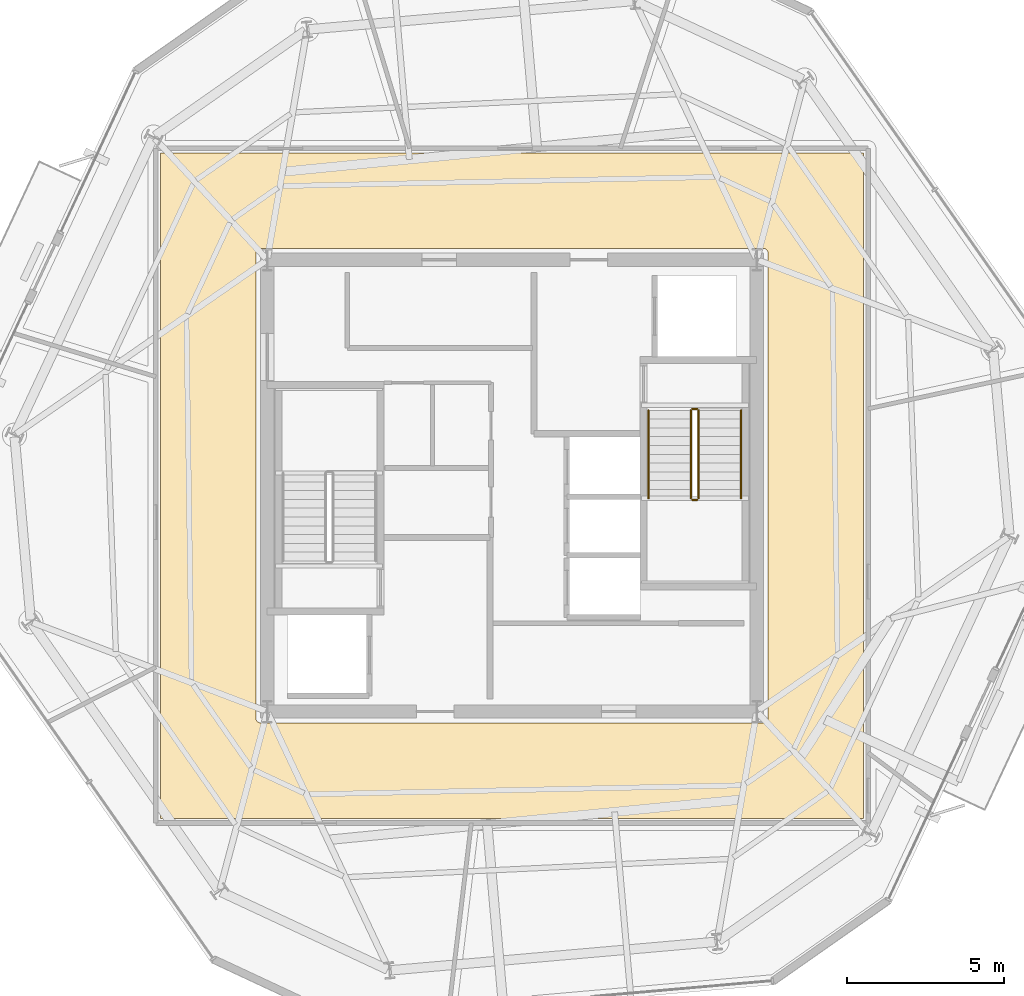
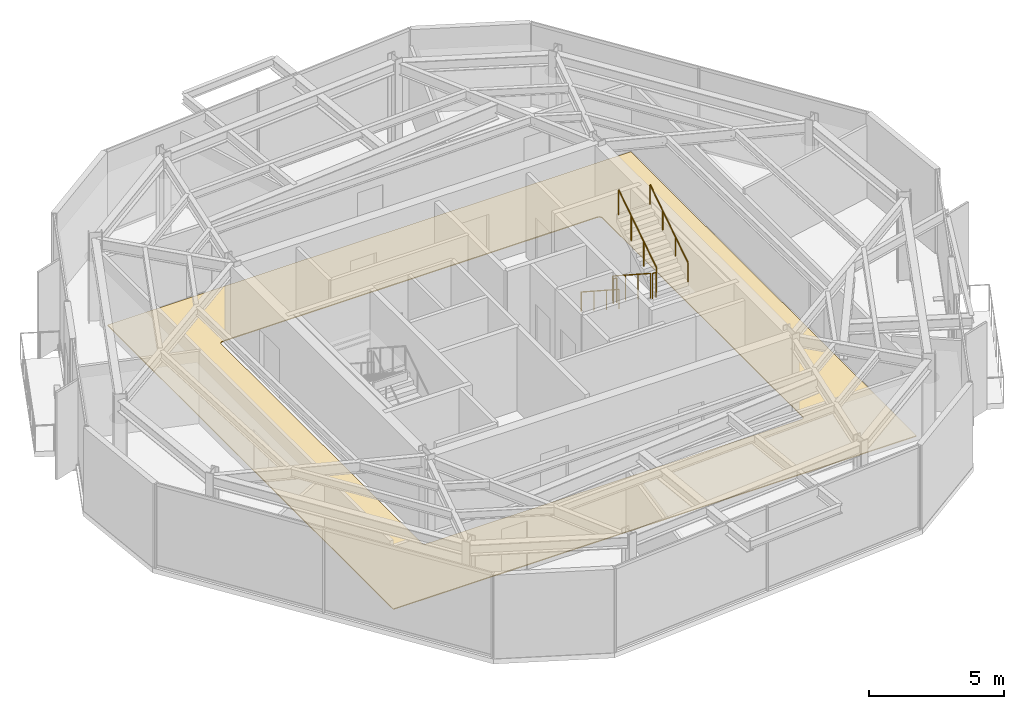
# One storey, part 10 of 11: 6 railings, 1 covering.
"""IFC4 building model written with IfcOpenShell, lengths in metres."""

from ifc_helpers import new_model, si_unit, direction, frame, origin, origin_2d, place, context, subcontext, project, spatial, polyline, circle, outline, extrude, material, layer, layer_set, type_object, element, save


model = new_model("IFC4")

# Units and contexts
model_context = context("Model", 3, precision=1e-05, world=origin(), true_north=direction((0.0, 1.0)))
body_context = subcontext(model_context, "Body", "Model", "MODEL_VIEW")
ifc_project = project(units=[si_unit("LENGTHUNIT", "METRE"), si_unit("AREAUNIT", "SQUARE_METRE"), si_unit("VOLUMEUNIT", "CUBIC_METRE"), si_unit("PLANEANGLEUNIT", "RADIAN"), si_unit("MASSUNIT", "GRAM", prefix="KILO")], contexts=[model_context])

# Site, building, storey
site_placement = place(None, origin())
site = spatial("IfcSite", under=ifc_project, at=site_placement, CompositionType="ELEMENT")
building_placement = place(site_placement, origin())
building = spatial("IfcBuilding", under=site, at=building_placement, Name="Kranzbogen Civic Tower", CompositionType="ELEMENT")
storey_placement = place(building_placement, frame((0.0, 0.0, 286.199951171875)))
storey = spatial("IfcBuildingStorey", under=building, at=storey_placement, Name="L69", CompositionType="ELEMENT", Elevation=286.199951171875)

# Covering
ifc_material_1 = material(Name="Honed Natural Stone Flooring", Category="masonry")
ifc_layer = layer(ifc_material_1, 0.0400390625, Name="Honed Natural Stone Flooring")
ifc_layer_set = layer_set([ifc_layer], Name="Honed Natural Stone Flooring")
covering_type = type_object("IfcCoveringType", Name="Honed Limestone Lobby Flooring 40 mm", PredefinedType="FLOORING", material=ifc_layer_set)
covering_placement = place(storey_placement, origin())
element("IfcCovering", 1, at=covering_placement, inside=storey, type_object=covering_type, Name="L69 concourse stone flooring 1", PredefinedType="FLOORING", context=body_context, shape_type="SweptSolid", body=[
    extrude(outline(polyline([(13.800048828125, 35.60009765625), (36.199951171875, 35.60009765625), (36.199951171875, 14.39990234375), (13.800048828125, 14.39990234375), (13.800048828125, 35.60009765625)]), holes=[polyline([(33.010009765625, 32.56005859375), (33.02490234375, 32.55908203125), (33.0390625, 32.556884765625), (33.053955078125, 32.553955078125), (33.06689453125, 32.549072265625), (33.0810546875, 32.5419921875), (33.093017578125, 32.534912109375), (33.10498046875, 32.52587890625), (33.115966796875, 32.51611328125), (33.1259765625, 32.5048828125), (33.135009765625, 32.492919921875), (33.14208984375, 32.48095703125), (33.14892578125, 32.467041015625), (33.154052734375, 32.4541015625), (33.156982421875, 32.43896484375), (33.158935546875, 32.425048828125), (33.159912109375, 32.409912109375), (33.159912109375, 17.590087890625), (33.158935546875, 17.574951171875), (33.156982421875, 17.56103515625), (33.154052734375, 17.5458984375), (33.14892578125, 17.532958984375), (33.14208984375, 17.51904296875), (33.135009765625, 17.507080078125), (33.1259765625, 17.4951171875), (33.115966796875, 17.48388671875), (33.10498046875, 17.47412109375), (33.093017578125, 17.465087890625), (33.0810546875, 17.4580078125), (33.06689453125, 17.450927734375), (33.053955078125, 17.446044921875), (33.0390625, 17.443115234375), (33.02490234375, 17.44091796875), (33.010009765625, 17.43994140625), (16.989990234375, 17.43994140625), (16.97509765625, 17.44091796875), (16.9609375, 17.443115234375), (16.946044921875, 17.446044921875), (16.93310546875, 17.450927734375), (16.9189453125, 17.4580078125), (16.906982421875, 17.465087890625), (16.89501953125, 17.47412109375), (16.884033203125, 17.48388671875), (16.8740234375, 17.4951171875), (16.864990234375, 17.507080078125), (16.85791015625, 17.51904296875), (16.85107421875, 17.532958984375), (16.845947265625, 17.5458984375), (16.843017578125, 17.56103515625), (16.841064453125, 17.574951171875), (16.840087890625, 17.590087890625), (16.840087890625, 32.409912109375), (16.841064453125, 32.425048828125), (16.843017578125, 32.43896484375), (16.845947265625, 32.4541015625), (16.85107421875, 32.467041015625), (16.85791015625, 32.48095703125), (16.864990234375, 32.492919921875), (16.8740234375, 32.5048828125), (16.884033203125, 32.51611328125), (16.89501953125, 32.52587890625), (16.906982421875, 32.534912109375), (16.9189453125, 32.5419921875), (16.93310546875, 32.549072265625), (16.946044921875, 32.553955078125), (16.9609375, 32.556884765625), (16.97509765625, 32.55908203125), (16.989990234375, 32.56005859375), (33.010009765625, 32.56005859375)])]), origin(), (0.0, 0.0, 1.0), 0.0400390625),
])

# Railings
ifc_material_2 = material(Name="Steel S355", Category="steel")
railing_type_1 = type_object("IfcRailingType", Name="Internal Stair and Void Steel Guardrail 1150", PredefinedType="GUARDRAIL", material=ifc_material_2)
railing_1_placement = place(storey_placement, frame((30.699951171875, 27.39990234375, 0.181884765625)))
element("IfcRailing", 2, at=railing_1_placement, inside=storey, type_object=railing_type_1, Name="L69 ST-T2 stair guard 1", PredefinedType="GUARDRAIL", context=body_context, shape_type="SweptSolid", body=[
    extrude(circle(Radius=0.02392578125, at=origin_2d()), frame((0.0, 0.0, 1.1259765625), z_axis=(0.0, -0.83868413941, 0.544618136222), x_axis=(1.0, 0.0, 0.0)), (0.0, 0.0, 1.0), 3.33837890625),
    extrude(circle(Radius=0.02099609375, at=origin_2d()), origin(), (0.0, 0.0, 1.0), 1.101806640625),
    extrude(circle(Radius=0.02099609375, at=origin_2d()), frame((0.0, -0.933349609375, 0.60595703125)), (0.0, 0.0, 1.0), 1.101806640625),
    extrude(circle(Radius=0.02099609375, at=origin_2d()), frame((0.0, -1.866455078125, 1.212158203125)), (0.0, 0.0, 1.0), 1.101806640625),
    extrude(circle(Radius=0.02099609375, at=origin_2d()), frame((0.0, -2.7998046875, 1.818115234375)), (0.0, 0.0, 1.0), 1.101806640625),
])
railing_2_placement = place(storey_placement, frame((30.75, 24.550048828125, 2.0)))
element("IfcRailing", 3, at=railing_2_placement, inside=storey, type_object=railing_type_1, Name="L69 ST-T2 stair guard 2", PredefinedType="GUARDRAIL", context=body_context, shape_type="SweptSolid", body=[
    extrude(circle(Radius=0.02392578125, at=origin_2d()), frame((0.0, 0.0, 1.1259765625), z_axis=(1.0, 0.0, 0.0), x_axis=(0.0, 1.0, 0.0)), (0.0, 0.0, 1.0), 0.14990234375),
    extrude(circle(Radius=0.02099609375, at=origin_2d()), origin(), (0.0, 0.0, 1.0), 1.101806640625),
    extrude(circle(Radius=0.02099609375, at=origin_2d()), frame((0.14990234375, 0.0, 0.0)), (0.0, 0.0, 1.0), 1.101806640625),
])
railing_3_placement = place(storey_placement, frame((30.949951171875, 24.60009765625, 2.181884765625)))
element("IfcRailing", 4, at=railing_3_placement, inside=storey, type_object=railing_type_1, Name="L69 ST-T2 stair guard 3", PredefinedType="GUARDRAIL", context=body_context, shape_type="SweptSolid", body=[
    extrude(circle(Radius=0.02392578125, at=origin_2d()), frame((0.0, 0.0, 1.1259765625), z_axis=(0.0, 0.83868413941, 0.544618136222), x_axis=(-1.0, 0.0, 0.0)), (0.0, 0.0, 1.0), 3.33837890625),
    extrude(circle(Radius=0.02099609375, at=origin_2d()), origin(), (0.0, 0.0, 1.0), 1.101806640625),
    extrude(circle(Radius=0.02099609375, at=origin_2d()), frame((0.0, 0.933349609375, 0.60595703125)), (0.0, 0.0, 1.0), 1.101806640625),
    extrude(circle(Radius=0.02099609375, at=origin_2d()), frame((0.0, 1.866455078125, 1.212158203125)), (0.0, 0.0, 1.0), 1.101806640625),
    extrude(circle(Radius=0.02099609375, at=origin_2d()), frame((0.0, 2.7998046875, 1.818115234375)), (0.0, 0.0, 1.0), 1.101806640625),
])
railing_4_placement = place(storey_placement, frame((30.75, 27.449951171875, 0.0)))
element("IfcRailing", 5, at=railing_4_placement, inside=storey, type_object=railing_type_1, Name="L69 ST-T2 stair guard 4", PredefinedType="GUARDRAIL", context=body_context, shape_type="SweptSolid", body=[
    extrude(circle(Radius=0.02392578125, at=origin_2d()), frame((0.0, 0.0, 1.1259765625), z_axis=(1.0, 0.0, 0.0), x_axis=(0.0, 1.0, 0.0)), (0.0, 0.0, 1.0), 0.14990234375),
    extrude(circle(Radius=0.02099609375, at=origin_2d()), origin(), (0.0, 0.0, 1.0), 1.101806640625),
    extrude(circle(Radius=0.02099609375, at=origin_2d()), frame((0.14990234375, 0.0, 0.0)), (0.0, 0.0, 1.0), 1.101806640625),
])
ifc_material_3 = material(Name="Pale Anodised Aluminium", Category="aluminium")
railing_type_2 = type_object("IfcRailingType", Name="Tubular Stainless Stair Wall Handrail 900", PredefinedType="HANDRAIL", material=ifc_material_3)
railing_5_placement = place(storey_placement, frame((29.35009765625, 27.39990234375, 0.181884765625)))
element("IfcRailing", 6, at=railing_5_placement, inside=storey, type_object=railing_type_2, Name="L69 ST-T2 stair handrail 1", PredefinedType="HANDRAIL", context=body_context, shape_type="SweptSolid", body=[
    extrude(circle(Radius=0.02392578125, at=origin_2d()), frame((0.0, 0.0, 0.8759765625), z_axis=(0.0, -0.83868413941, 0.544618136222), x_axis=(1.0, 0.0, 0.0)), (0.0, 0.0, 1.0), 3.33837890625),
    extrude(circle(Radius=0.02099609375, at=origin_2d()), origin(), (0.0, 0.0, 1.0), 0.851806640625),
    extrude(circle(Radius=0.02099609375, at=origin_2d()), frame((0.0, -0.933349609375, 0.60595703125)), (0.0, 0.0, 1.0), 0.851806640625),
    extrude(circle(Radius=0.02099609375, at=origin_2d()), frame((0.0, -1.866455078125, 1.212158203125)), (0.0, 0.0, 1.0), 0.851806640625),
    extrude(circle(Radius=0.02099609375, at=origin_2d()), frame((0.0, -2.7998046875, 1.818115234375)), (0.0, 0.0, 1.0), 0.851806640625),
])
railing_6_placement = place(storey_placement, frame((32.300048828125, 24.60009765625, 2.181884765625)))
element("IfcRailing", 7, at=railing_6_placement, inside=storey, type_object=railing_type_2, Name="L69 ST-T2 stair handrail 2", PredefinedType="HANDRAIL", context=body_context, shape_type="SweptSolid", body=[
    extrude(circle(Radius=0.02392578125, at=origin_2d()), frame((0.0, 0.0, 0.8759765625), z_axis=(0.0, 0.83868413941, 0.544618136222), x_axis=(-1.0, 0.0, 0.0)), (0.0, 0.0, 1.0), 3.33837890625),
    extrude(circle(Radius=0.02099609375, at=origin_2d()), origin(), (0.0, 0.0, 1.0), 0.851806640625),
    extrude(circle(Radius=0.02099609375, at=origin_2d()), frame((0.0, 0.933349609375, 0.60595703125)), (0.0, 0.0, 1.0), 0.851806640625),
    extrude(circle(Radius=0.02099609375, at=origin_2d()), frame((0.0, 1.866455078125, 1.212158203125)), (0.0, 0.0, 1.0), 0.851806640625),
    extrude(circle(Radius=0.02099609375, at=origin_2d()), frame((0.0, 2.7998046875, 1.818115234375)), (0.0, 0.0, 1.0), 0.851806640625),
])

save(model, "model.ifc")
